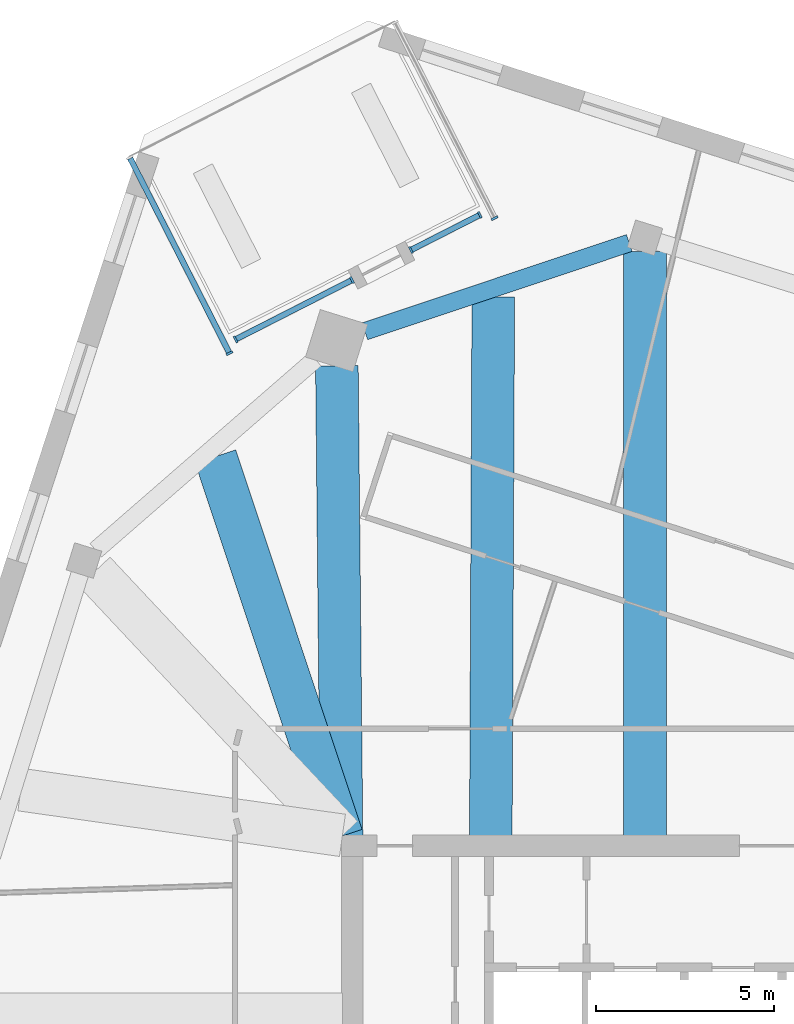
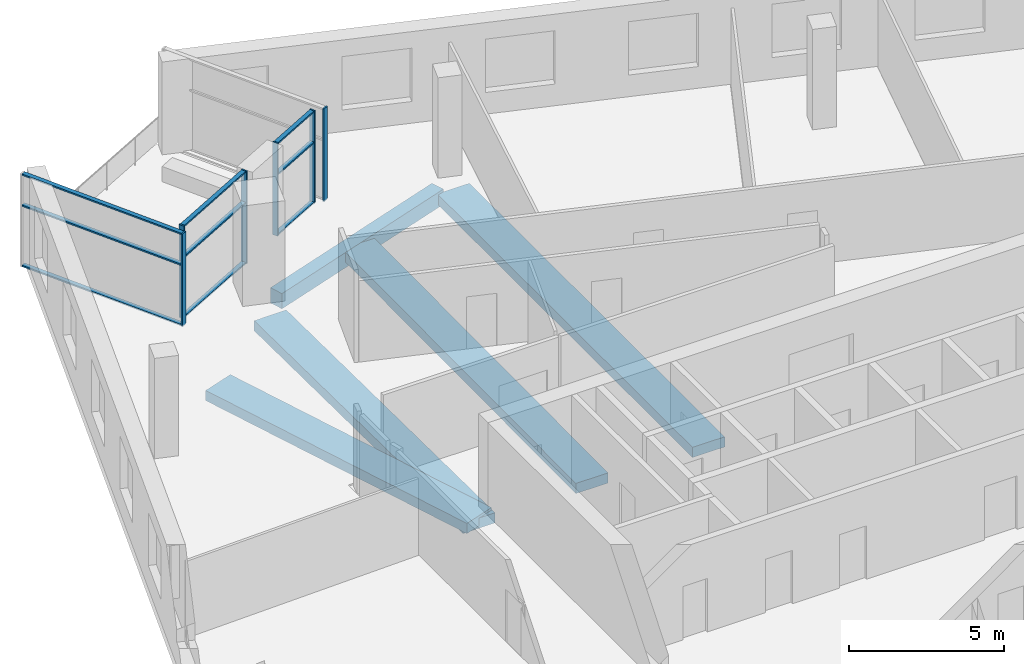
# One storey, part 2 of 13: 15 members, 5 beams, 4 elements without a shape of their own.
"""IFC4 building model written with IfcOpenShell, lengths in metres."""

from ifc_helpers import new_model, si_unit, direction, frame, origin, origin_2d, place, context, subcontext, project, spatial, rectangle, extrude, material, material_profile, profile_set, type_object, element, aggregate, save


model = new_model("IFC4")

# Units and contexts
model_context = context("Model", 3, precision=1e-05, world=origin(), true_north=direction((0.0, 1.0)))
body_context = subcontext(model_context, "Body", "Model", "MODEL_VIEW")
ifc_project = project(units=[si_unit("LENGTHUNIT", "METRE"), si_unit("AREAUNIT", "SQUARE_METRE"), si_unit("VOLUMEUNIT", "CUBIC_METRE"), si_unit("PLANEANGLEUNIT", "RADIAN"), si_unit("MASSUNIT", "GRAM", prefix="KILO")], contexts=[model_context])

# Site, building, storey
site_placement = place(None, origin())
site = spatial("IfcSite", under=ifc_project, at=site_placement, CompositionType="ELEMENT")
building_placement = place(site_placement, origin())
building = spatial("IfcBuilding", under=site, at=building_placement, Name="Dilmun Exchange Tower", CompositionType="ELEMENT")
storey_placement = place(building_placement, frame((0.0, 0.0, 316.5)))
storey = spatial("IfcBuildingStorey", under=building, at=storey_placement, Name="L75", CompositionType="ELEMENT", Elevation=316.5)

# Curtain wall, member
ifc_material_1 = material(Name="Anodised aluminium and clear glass", Category="aluminium")
curtain_wall_type = type_object("IfcCurtainWallType", Name="Garden corner glazing", PredefinedType="NOTDEFINED", material=ifc_material_1)
curtain_wall_1_placement = place(storey_placement, origin())
curtain_wall_1 = element("IfcCurtainWall", 1, at=curtain_wall_1_placement, inside=storey, type_object=curtain_wall_type, Name="Garden corner glazing run GC1.1", PredefinedType="NOTDEFINED")
ifc_material_2 = material(Name="Anodised aluminium", Category="aluminium")
ifc_material_profile_1 = material_profile(ifc_material_2, rectangle(XDim=0.199951171875, YDim=0.06005859375, at=origin_2d()), Name="AL 60x200")
ifc_profile_set_1 = profile_set([ifc_material_profile_1], Name="Anodised aluminium")
member_type_1 = type_object("IfcMemberType", Name="Garden corner glazing mullion 60 x 200", PredefinedType="MULLION", material=ifc_profile_set_1)
member_1_placement = place(storey_placement, frame((-8.087646484375, 29.77294921875, 0.0), z_axis=(0.0, 0.0, 1.0), x_axis=(0.891010784827, 0.453982137668, 0.0)))
member_1 = element("IfcMember", 2, at=member_1_placement, type_object=member_type_1, Name="GC1.1 mullion 2", PredefinedType="MULLION", context=body_context, shape_type="SweptSolid", body=[
    extrude(rectangle(XDim=0.199951171875, YDim=0.06005859375, at=origin_2d()), origin(), (0.0, 0.0, 1.0), 3.64990234375),
])
aggregate(curtain_wall_1, [member_1])

# Curtain wall, members
curtain_wall_2_placement = place(storey_placement, origin())
curtain_wall_2 = element("IfcCurtainWall", 3, at=curtain_wall_2_placement, inside=storey, type_object=curtain_wall_type, Name="Garden corner glazing run GC2.1", PredefinedType="NOTDEFINED")
member_2_placement = place(storey_placement, frame((-8.50439453125, 29.863525390625, 0.0), z_axis=(0.0, 0.0, 1.0), x_axis=(0.453989339681, -0.891007115267, 0.0)))
member_2 = element("IfcMember", 4, at=member_2_placement, type_object=member_type_1, Name="GC2.1 mullion 1", PredefinedType="MULLION", context=body_context, shape_type="SweptSolid", body=[
    extrude(rectangle(XDim=0.199951171875, YDim=0.06005859375, at=origin_2d()), origin(), (0.0, 0.0, 1.0), 3.64990234375),
])
member_3_placement = place(storey_placement, frame((-10.44580078125, 28.874267578125, 0.0), z_axis=(0.0, 0.0, 1.0), x_axis=(0.453989339681, -0.891007115267, 0.0)))
member_3 = element("IfcMember", 5, at=member_3_placement, type_object=member_type_1, Name="GC2.1 mullion 2", PredefinedType="MULLION", context=body_context, shape_type="SweptSolid", body=[
    extrude(rectangle(XDim=0.199951171875, YDim=0.06005859375, at=origin_2d()), origin(), (0.0, 0.0, 1.0), 3.64990234375),
])

curtain_wall_3_placement = place(storey_placement, origin())
curtain_wall_3 = element("IfcCurtainWall", 6, at=curtain_wall_3_placement, inside=storey, type_object=curtain_wall_type, Name="Garden corner glazing run GC2.3", PredefinedType="NOTDEFINED")
member_4_placement = place(storey_placement, frame((-12.10302734375, 28.02978515625, 0.0), z_axis=(0.0, 0.0, 1.0), x_axis=(0.453983071152, -0.891010309204, 0.0)))
member_4 = element("IfcMember", 7, at=member_4_placement, type_object=member_type_1, Name="GC2.3 mullion 1", PredefinedType="MULLION", context=body_context, shape_type="SweptSolid", body=[
    extrude(rectangle(XDim=0.199951171875, YDim=0.06005859375, at=origin_2d()), origin(), (0.0, 0.0, 1.0), 3.64990234375),
])
member_5_placement = place(storey_placement, frame((-15.38134765625, 26.359619140625, 0.0), z_axis=(0.0, 0.0, 1.0), x_axis=(0.453983071152, -0.891010309204, 0.0)))
member_5 = element("IfcMember", 8, at=member_5_placement, type_object=member_type_1, Name="GC2.3 mullion 2", PredefinedType="MULLION", context=body_context, shape_type="SweptSolid", body=[
    extrude(rectangle(XDim=0.199951171875, YDim=0.06005859375, at=origin_2d()), origin(), (0.0, 0.0, 1.0), 3.64990234375),
])

# Curtain wall, member
curtain_wall_4_placement = place(storey_placement, origin())
curtain_wall_4 = element("IfcCurtainWall", 9, at=curtain_wall_4_placement, inside=storey, type_object=curtain_wall_type, Name="Garden corner glazing run GC3.1", PredefinedType="NOTDEFINED")
member_6_placement = place(storey_placement, frame((-15.552734375, 25.96923828125, 0.0), z_axis=(0.0, 0.0, 1.0), x_axis=(-0.891007485315, -0.453988613418, 0.0)))
member_6 = element("IfcMember", 10, at=member_6_placement, type_object=member_type_1, Name="GC3.1 mullion 1", PredefinedType="MULLION", context=body_context, shape_type="SweptSolid", body=[
    extrude(rectangle(XDim=0.199951171875, YDim=0.06005859375, at=origin_2d()), origin(), (0.0, 0.0, 1.0), 3.64990234375),
])

# Member
ifc_material_profile_2 = material_profile(ifc_material_2, rectangle(XDim=0.159912109375, YDim=0.06005859375, at=origin_2d()), Name="AL 60x160")
ifc_profile_set_2 = profile_set([ifc_material_profile_2], Name="Anodised aluminium")
member_type_2 = type_object("IfcMemberType", Name="Garden corner glazing transom 60 x 160", PredefinedType="USERDEFINED", material=ifc_profile_set_2)
member_7_placement = place(storey_placement, frame((-8.531005859375, 29.849853515625, 0.030029296875), z_axis=(-0.891037738411, -0.453929233171, 0.0), x_axis=(0.453929233171, -0.891037738411, 0.0)))
member_7 = element("IfcMember", 11, at=member_7_placement, type_object=member_type_2, Name="GC2.1 transom 1.1", ObjectType="TRANSOM", PredefinedType="USERDEFINED", context=body_context, shape_type="SweptSolid", body=[
    extrude(rectangle(XDim=0.159912109375, YDim=0.06005859375, at=origin_2d()), origin(), (0.0, 0.0, 1.0), 2.119140625),
])

member_8_placement = place(storey_placement, frame((-8.531005859375, 29.849853515625, 2.39990234375), z_axis=(-0.891037738411, -0.453929233171, 0.0), x_axis=(0.453929233171, -0.891037738411, 0.0)))
member_8 = element("IfcMember", 12, at=member_8_placement, type_object=member_type_2, Name="GC2.1 transom 1.2", ObjectType="TRANSOM", PredefinedType="USERDEFINED", context=body_context, shape_type="SweptSolid", body=[
    extrude(rectangle(XDim=0.159912109375, YDim=0.06005859375, at=origin_2d()), origin(), (0.0, 0.0, 1.0), 2.119140625),
])

member_9_placement = place(storey_placement, frame((-8.531005859375, 29.849853515625, 3.6201171875), z_axis=(-0.891037738411, -0.453929233171, 0.0), x_axis=(0.453929233171, -0.891037738411, 0.0)))
member_9 = element("IfcMember", 13, at=member_9_placement, type_object=member_type_2, Name="GC2.1 transom 1.3", ObjectType="TRANSOM", PredefinedType="USERDEFINED", context=body_context, shape_type="SweptSolid", body=[
    extrude(rectangle(XDim=0.159912109375, YDim=0.06005859375, at=origin_2d()), origin(), (0.0, 0.0, 1.0), 2.119140625),
])

aggregate(curtain_wall_2, [member_2, member_3, member_7, member_8, member_9])

member_10_placement = place(storey_placement, frame((-12.1298828125, 28.016357421875, 0.030029296875), z_axis=(-0.891001397756, -0.454000560789, 0.0), x_axis=(0.454000560789, -0.891001397756, 0.0)))
member_10 = element("IfcMember", 14, at=member_10_placement, type_object=member_type_2, Name="GC2.3 transom 1.1", ObjectType="TRANSOM", PredefinedType="USERDEFINED", context=body_context, shape_type="SweptSolid", body=[
    extrude(rectangle(XDim=0.159912109375, YDim=0.06005859375, at=origin_2d()), origin(), (0.0, 0.0, 1.0), 3.619140625),
])

member_11_placement = place(storey_placement, frame((-12.1298828125, 28.016357421875, 2.39990234375), z_axis=(-0.891001397756, -0.454000560789, 0.0), x_axis=(0.454000560789, -0.891001397756, 0.0)))
member_11 = element("IfcMember", 15, at=member_11_placement, type_object=member_type_2, Name="GC2.3 transom 1.2", ObjectType="TRANSOM", PredefinedType="USERDEFINED", context=body_context, shape_type="SweptSolid", body=[
    extrude(rectangle(XDim=0.159912109375, YDim=0.06005859375, at=origin_2d()), origin(), (0.0, 0.0, 1.0), 3.619140625),
])

member_12_placement = place(storey_placement, frame((-12.1298828125, 28.016357421875, 3.6201171875), z_axis=(-0.891001397756, -0.454000560789, 0.0), x_axis=(0.454000560789, -0.891001397756, 0.0)))
member_12 = element("IfcMember", 16, at=member_12_placement, type_object=member_type_2, Name="GC2.3 transom 1.3", ObjectType="TRANSOM", PredefinedType="USERDEFINED", context=body_context, shape_type="SweptSolid", body=[
    extrude(rectangle(XDim=0.159912109375, YDim=0.06005859375, at=origin_2d()), origin(), (0.0, 0.0, 1.0), 3.619140625),
])

aggregate(curtain_wall_3, [member_4, member_5, member_10, member_11, member_12])

member_13_placement = place(storey_placement, frame((-15.56640625, 25.995849609375, 0.030029296875), z_axis=(-0.453975328977, 0.891014253915, 0.0), x_axis=(-0.891014253915, -0.453975328977, 0.0)))
member_13 = element("IfcMember", 17, at=member_13_placement, type_object=member_type_2, Name="GC3.1 transom 1.1", ObjectType="TRANSOM", PredefinedType="USERDEFINED", context=body_context, shape_type="SweptSolid", body=[
    extrude(rectangle(XDim=0.159912109375, YDim=0.06005859375, at=origin_2d()), origin(), (0.0, 0.0, 1.0), 6.12646484375),
])

member_14_placement = place(storey_placement, frame((-15.56640625, 25.995849609375, 2.39990234375), z_axis=(-0.453975328977, 0.891014253915, 0.0), x_axis=(-0.891014253915, -0.453975328977, 0.0)))
member_14 = element("IfcMember", 18, at=member_14_placement, type_object=member_type_2, Name="GC3.1 transom 1.2", ObjectType="TRANSOM", PredefinedType="USERDEFINED", context=body_context, shape_type="SweptSolid", body=[
    extrude(rectangle(XDim=0.159912109375, YDim=0.06005859375, at=origin_2d()), origin(), (0.0, 0.0, 1.0), 6.12646484375),
])

member_15_placement = place(storey_placement, frame((-15.56640625, 25.995849609375, 3.6201171875), z_axis=(-0.453975328977, 0.891014253915, 0.0), x_axis=(-0.891014253915, -0.453975328977, 0.0)))
member_15 = element("IfcMember", 19, at=member_15_placement, type_object=member_type_2, Name="GC3.1 transom 1.3", ObjectType="TRANSOM", PredefinedType="USERDEFINED", context=body_context, shape_type="SweptSolid", body=[
    extrude(rectangle(XDim=0.159912109375, YDim=0.06005859375, at=origin_2d()), origin(), (0.0, 0.0, 1.0), 6.12646484375),
])

aggregate(curtain_wall_4, [member_6, member_13, member_14, member_15])

# Beams
ifc_material_3 = material(Name="Concrete C40/50", Category="concrete")
ifc_material_profile_3 = material_profile(ifc_material_3, rectangle(XDim=1.199951171875, YDim=0.39990234375, at=origin_2d()), Name="1200 x 400")
ifc_profile_set_3 = profile_set([ifc_material_profile_3], Name="Concrete C40/50")
beam_type_1 = type_object("IfcBeamType", Name="RC band beam 1200 x 400 C40/50", PredefinedType="BEAM", material=ifc_profile_set_3)
beam_1_placement = place(storey_placement, frame((-12.530029296875, 25.613525390625, -0.64990234375), z_axis=(0.009845926203, -0.999951527694, 0.0), x_axis=(0.999951527694, 0.009845926203, 0.0)))
element("IfcBeam", 20, at=beam_1_placement, inside=storey, type_object=beam_type_1, Name="Band beam 1", PredefinedType="BEAM", context=body_context, shape_type="SweptSolid", body=[
    extrude(rectangle(XDim=1.199951171875, YDim=0.39990234375, at=origin_2d()), origin(), (0.0, 0.0, 1.0), 13.2412109375),
])
beam_2_placement = place(storey_placement, frame((-3.85595703125, 28.827880859375, -0.64990234375), z_axis=(0.0, -1.0, 0.0), x_axis=(1.0, 0.0, 0.0)))
element("IfcBeam", 21, at=beam_2_placement, inside=storey, type_object=beam_type_1, Name="Band beam 16", PredefinedType="BEAM", context=body_context, shape_type="SweptSolid", body=[
    extrude(rectangle(XDim=1.199951171875, YDim=0.39990234375, at=origin_2d()), origin(), (0.0, 0.0, 1.0), 16.454833984375),
])
beam_3_placement = place(storey_placement, frame((-15.947021484375, 23.059326171875, -0.550048828125), z_axis=(0.315752926282, -0.948841445946, 0.0), x_axis=(0.948841445946, 0.315752926282, 0.0)))
element("IfcBeam", 22, at=beam_3_placement, inside=storey, type_object=beam_type_1, Name="Band beam 17", PredefinedType="BEAM", context=body_context, shape_type="SweptSolid", body=[
    extrude(rectangle(XDim=1.199951171875, YDim=0.39990234375, at=origin_2d()), origin(), (0.0, 0.0, 1.0), 11.260986328125),
])
beam_4_placement = place(storey_placement, frame((-8.1259765625, 27.5595703125, -0.550048828125), z_axis=(-0.00464595333, -0.999989207501, 0.0), x_axis=(0.999989207501, -0.00464595333, 0.0)))
element("IfcBeam", 23, at=beam_4_placement, inside=storey, type_object=beam_type_1, Name="Band beam 32", PredefinedType="BEAM", context=body_context, shape_type="SweptSolid", body=[
    extrude(rectangle(XDim=1.199951171875, YDim=0.39990234375, at=origin_2d()), origin(), (0.0, 0.0, 1.0), 15.186767578125),
])
ifc_material_profile_4 = material_profile(ifc_material_3, rectangle(XDim=0.5, YDim=0.60009765625, at=origin_2d()), Name="500 x 600")
ifc_profile_set_4 = profile_set([ifc_material_profile_4], Name="Concrete C40/50")
beam_type_2 = type_object("IfcBeamType", Name="RC ring beam 500 x 600 C40/50", PredefinedType="SPANDREL", material=ifc_profile_set_4)
beam_5_placement = place(storey_placement, frame((-4.298095703125, 29.072509765625, -0.64990234375), z_axis=(-0.94854014246, -0.316656909198, 0.0), x_axis=(0.316656909198, -0.94854014246, 0.0)))
element("IfcBeam", 24, at=beam_5_placement, inside=storey, type_object=beam_type_2, Name="Ring beam 16", PredefinedType="SPANDREL", context=body_context, shape_type="SweptSolid", body=[
    extrude(rectangle(XDim=0.5, YDim=0.60009765625, at=origin_2d()), origin(), (0.0, 0.0, 1.0), 7.850341796875),
])

save(model, "model.ifc")
